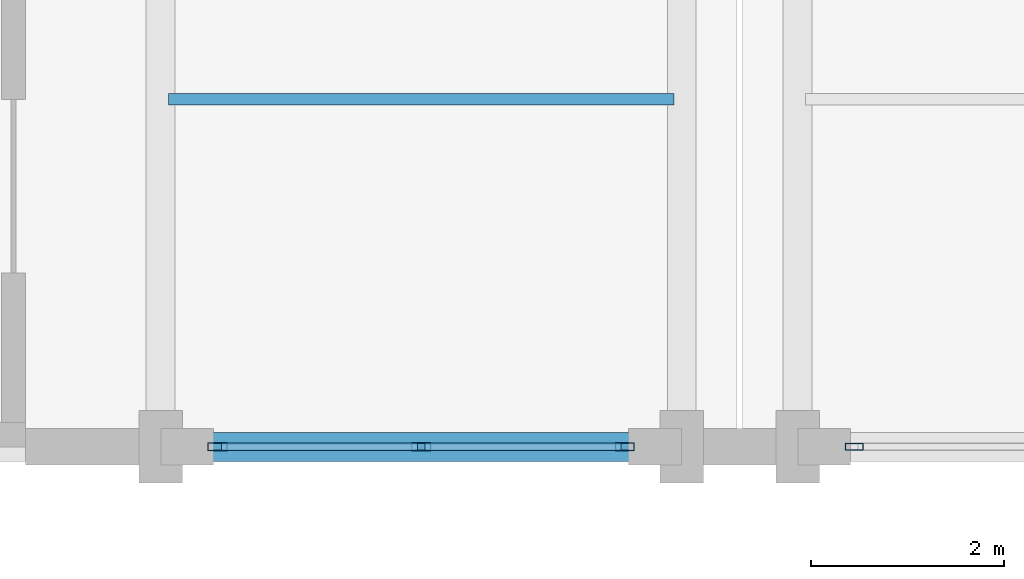
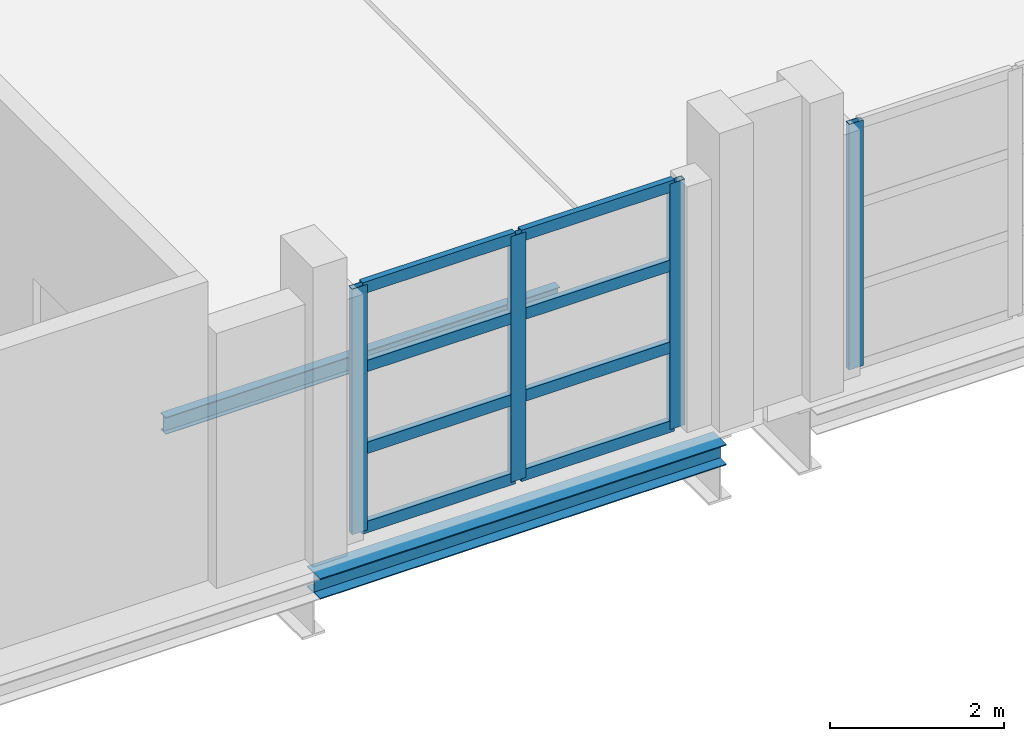
# One storey, part 93 of 147: 12 members, 2 beams, 2 elements without a shape of their own.
"""IFC4 building model written with IfcOpenShell, lengths in metres."""

from ifc_helpers import new_model, si_unit, direction, frame, origin, origin_2d, place, context, subcontext, project, spatial, hollow_rectangle, i_section, extrude, material, layer, layer_set, material_profile, profile_set, type_object, element, aggregate, save


model = new_model("IFC4")

# Units and contexts
model_context = context("Model", 3, precision=1e-05, world=origin(), true_north=direction((0.0, 1.0)))
body_context = subcontext(model_context, "Body", "Model", "MODEL_VIEW")
ifc_project = project(units=[si_unit("LENGTHUNIT", "METRE"), si_unit("AREAUNIT", "SQUARE_METRE"), si_unit("VOLUMEUNIT", "CUBIC_METRE"), si_unit("PLANEANGLEUNIT", "RADIAN"), si_unit("MASSUNIT", "GRAM", prefix="KILO")], contexts=[model_context])

# Site, building, storey
site_placement = place(None, origin())
site = spatial("IfcSite", under=ifc_project, at=site_placement, CompositionType="ELEMENT")
building_placement = place(site_placement, origin())
building = spatial("IfcBuilding", under=site, at=building_placement, Name="Zilviju Railside Exhibition Hall", CompositionType="ELEMENT")
storey_placement = place(building_placement, frame((0.0, 0.0, 8.39990234375)))
storey = spatial("IfcBuildingStorey", under=building, at=storey_placement, Name="L03", CompositionType="ELEMENT", Elevation=8.39990234375)

# Beams
ifc_material_1 = material(Name="Steel S355J2", Category="steel")
ifc_material_profile_1 = material_profile(ifc_material_1, i_section(OverallWidth=0.300048828125, OverallDepth=0.2900390625, WebThickness=0.008544921875, FlangeThickness=0.013916015625, at=origin_2d()), Name="HEA 300")
ifc_profile_set_1 = profile_set([ifc_material_profile_1], Name="Steel S355J2")
beam_type_1 = type_object("IfcBeamType", Name="BM-HEA300", PredefinedType="SPANDREL", material=ifc_profile_set_1)
beam_1_placement = place(storey_placement, frame((168.0, 84.0, -0.52490234375), z_axis=(1.0, 0.0, 0.0), x_axis=(0.0, 1.0, 0.0)))
element("IfcBeam", 1, at=beam_1_placement, inside=storey, type_object=beam_type_1, Name="Primary Girder L03 Y=84.0 (168.0..173.4)", PredefinedType="SPANDREL", context=body_context, shape_type="SweptSolid", body=[
    extrude(i_section(OverallWidth=0.300048828125, OverallDepth=0.2900390625, WebThickness=0.008544921875, FlangeThickness=0.013916015625, at=origin_2d()), origin(), (0.0, 0.0, 1.0), 5.39990234375),
])
ifc_material_profile_2 = material_profile(ifc_material_1, i_section(OverallWidth=0.1201171875, OverallDepth=0.239990234375, WebThickness=0.006103515625, FlangeThickness=0.009765625, at=origin_2d()), Name="IPE 240")
ifc_profile_set_2 = profile_set([ifc_material_profile_2], Name="Steel S355J2")
beam_type_2 = type_object("IfcBeamType", Name="BM-IPE240", PredefinedType="JOIST", material=ifc_profile_set_2)
beam_2_placement = place(storey_placement, frame((168.080078125, 87.60009765625, -0.5), z_axis=(1.0, 0.0, 0.0), x_axis=(0.0, 1.0, 0.0)))
element("IfcBeam", 2, at=beam_2_placement, inside=storey, type_object=beam_type_2, Name="Composite Floor Joist L03 Y=87.60 (168.0..173.4)", PredefinedType="JOIST", context=body_context, shape_type="SweptSolid", body=[
    extrude(i_section(OverallWidth=0.1201171875, OverallDepth=0.239990234375, WebThickness=0.006103515625, FlangeThickness=0.009765625, at=origin_2d()), origin(), (0.0, 0.0, 1.0), 5.239990234375),
])

# Curtain wall, member
ifc_material_2 = material(Name="Thermally broken aluminium-steel triple-glazed curtain wall", Category="steel")
ifc_layer_1 = layer(ifc_material_2, 0.179931640625)
ifc_layer_set_1 = layer_set([ifc_layer_1], Name="Thermally broken aluminium-steel triple-glazed curtain wall")
curtain_wall_type_1 = type_object("IfcCurtainWallType", Name="CW-BAY-03", PredefinedType="USERDEFINED", material=ifc_layer_set_1)
curtain_wall_1_placement = place(storey_placement, origin())
curtain_wall_1 = element("IfcCurtainWall", 3, at=curtain_wall_1_placement, inside=storey, type_object=curtain_wall_type_1, Name="North Hall Garden Court Curtain Wall L03 (175..180)", ObjectType="GLAZED CURTAIN WALL", PredefinedType="USERDEFINED")
ifc_material_3 = material(Name="Thermally broken anodized aluminium mullion", Category="aluminium")
ifc_material_profile_3 = material_profile(ifc_material_3, hollow_rectangle(XDim=0.074951171875, YDim=0.18994140625, WallThickness=0.0048828125, at=origin_2d()), Name="MULLION 190x75x5")
ifc_profile_set_3 = profile_set([ifc_material_profile_3], Name="Thermally broken anodized aluminium mullion")
member_type_1 = type_object("IfcMemberType", Name="CWM-75x190", PredefinedType="MULLION", material=ifc_profile_set_3)
member_1_placement = place(storey_placement, frame((175.1875, 84.0, 0.0), z_axis=(0.0, 0.0, 1.0), x_axis=(0.0, -1.0, 0.0)))
member_1 = element("IfcMember", 4, at=member_1_placement, type_object=member_type_1, Name="CW-03 mullion 3", PredefinedType="MULLION", context=body_context, shape_type="SweptSolid", body=[
    extrude(hollow_rectangle(XDim=0.074951171875, YDim=0.18994140625, WallThickness=0.0048828125, at=origin_2d()), origin(), (0.0, 0.0, 1.0), 3.4501953125),
])
aggregate(curtain_wall_1, [member_1])

# Curtain wall, members
ifc_layer_2 = layer(ifc_material_2, 0.179931640625)
ifc_layer_set_2 = layer_set([ifc_layer_2], Name="Thermally broken aluminium-steel triple-glazed curtain wall")
curtain_wall_type_2 = type_object("IfcCurtainWallType", Name="CW-BAY-02", PredefinedType="USERDEFINED", material=ifc_layer_set_2)
curtain_wall_2_placement = place(storey_placement, origin())
curtain_wall_2 = element("IfcCurtainWall", 5, at=curtain_wall_2_placement, inside=storey, type_object=curtain_wall_type_2, Name="North Hall Garden Court Curtain Wall L03 (168..173)", ObjectType="GLAZED CURTAIN WALL", PredefinedType="USERDEFINED")
ifc_material_profile_4 = material_profile(ifc_material_3, hollow_rectangle(XDim=0.080078125, YDim=0.199951171875, WallThickness=0.0048828125, at=origin_2d()), Name="MULLION 200x80x5")
ifc_profile_set_4 = profile_set([ifc_material_profile_4], Name="Thermally broken anodized aluminium mullion")
member_type_2 = type_object("IfcMemberType", Name="CWM-80x200", PredefinedType="MULLION", material=ifc_profile_set_4)
member_2_placement = place(storey_placement, frame((172.81005859375, 84.0, 0.0), z_axis=(0.0, 0.0, 1.0), x_axis=(0.0, -1.0, 0.0)))
member_2 = element("IfcMember", 6, at=member_2_placement, type_object=member_type_2, Name="CW-02 mullion 1", PredefinedType="MULLION", context=body_context, shape_type="SweptSolid", body=[
    extrude(hollow_rectangle(XDim=0.080078125, YDim=0.199951171875, WallThickness=0.0048828125, at=origin_2d()), origin(), (0.0, 0.0, 1.0), 3.4501953125),
])
member_3_placement = place(storey_placement, frame((170.699951171875, 84.0, 0.0), z_axis=(0.0, 0.0, 1.0), x_axis=(0.0, -1.0, 0.0)))
member_3 = element("IfcMember", 7, at=member_3_placement, type_object=member_type_2, Name="CW-02 mullion 2", PredefinedType="MULLION", context=body_context, shape_type="SweptSolid", body=[
    extrude(hollow_rectangle(XDim=0.080078125, YDim=0.199951171875, WallThickness=0.0048828125, at=origin_2d()), origin(), (0.0, 0.0, 1.0), 3.4501953125),
])
member_4_placement = place(storey_placement, frame((168.590087890625, 84.0, 0.0), z_axis=(0.0, 0.0, 1.0), x_axis=(0.0, -1.0, 0.0)))
member_4 = element("IfcMember", 8, at=member_4_placement, type_object=member_type_2, Name="CW-02 mullion 3", PredefinedType="MULLION", context=body_context, shape_type="SweptSolid", body=[
    extrude(hollow_rectangle(XDim=0.080078125, YDim=0.199951171875, WallThickness=0.0048828125, at=origin_2d()), origin(), (0.0, 0.0, 1.0), 3.4501953125),
])
ifc_material_4 = material(Name="Thermally broken anodized aluminium transom", Category="aluminium")
ifc_material_profile_5 = material_profile(ifc_material_4, hollow_rectangle(XDim=0.080078125, YDim=0.159912109375, WallThickness=0.0048828125, at=origin_2d()), Name="TRANSOM 160x80x5")
ifc_profile_set_5 = profile_set([ifc_material_profile_5], Name="Thermally broken anodized aluminium transom")
member_type_3 = type_object("IfcMemberType", Name="CWT-80x160", PredefinedType="USERDEFINED", material=ifc_profile_set_5)
member_5_placement = place(storey_placement, frame((172.77001953125, 84.0, 0.0400390625), z_axis=(-1.0, 0.0, 0.0), x_axis=(0.0, -1.0, 0.0)))
member_5 = element("IfcMember", 9, at=member_5_placement, type_object=member_type_3, Name="CW-02 transom 1.1", ObjectType="TRANSOM", PredefinedType="USERDEFINED", context=body_context, shape_type="SweptSolid", body=[
    extrude(hollow_rectangle(XDim=0.080078125, YDim=0.159912109375, WallThickness=0.0048828125, at=origin_2d()), origin(), (0.0, 0.0, 1.0), 2.030029296875),
])
member_6_placement = place(storey_placement, frame((172.77001953125, 84.0, 1.150146484375), z_axis=(-1.0, 0.0, 0.0), x_axis=(0.0, -1.0, 0.0)))
member_6 = element("IfcMember", 10, at=member_6_placement, type_object=member_type_3, Name="CW-02 transom 1.2", ObjectType="TRANSOM", PredefinedType="USERDEFINED", context=body_context, shape_type="SweptSolid", body=[
    extrude(hollow_rectangle(XDim=0.080078125, YDim=0.159912109375, WallThickness=0.0048828125, at=origin_2d()), origin(), (0.0, 0.0, 1.0), 2.030029296875),
])
member_7_placement = place(storey_placement, frame((172.77001953125, 84.0, 2.300048828125), z_axis=(-1.0, 0.0, 0.0), x_axis=(0.0, -1.0, 0.0)))
member_7 = element("IfcMember", 11, at=member_7_placement, type_object=member_type_3, Name="CW-02 transom 1.3", ObjectType="TRANSOM", PredefinedType="USERDEFINED", context=body_context, shape_type="SweptSolid", body=[
    extrude(hollow_rectangle(XDim=0.080078125, YDim=0.159912109375, WallThickness=0.0048828125, at=origin_2d()), origin(), (0.0, 0.0, 1.0), 2.030029296875),
])
member_8_placement = place(storey_placement, frame((172.77001953125, 84.0, 3.41015625), z_axis=(-1.0, 0.0, 0.0), x_axis=(0.0, -1.0, 0.0)))
member_8 = element("IfcMember", 12, at=member_8_placement, type_object=member_type_3, Name="CW-02 transom 1.4", ObjectType="TRANSOM", PredefinedType="USERDEFINED", context=body_context, shape_type="SweptSolid", body=[
    extrude(hollow_rectangle(XDim=0.080078125, YDim=0.159912109375, WallThickness=0.0048828125, at=origin_2d()), origin(), (0.0, 0.0, 1.0), 2.030029296875),
])
member_9_placement = place(storey_placement, frame((170.659912109375, 84.0, 0.0400390625), z_axis=(-1.0, 0.0, 0.0), x_axis=(0.0, -1.0, 0.0)))
member_9 = element("IfcMember", 13, at=member_9_placement, type_object=member_type_3, Name="CW-02 transom 2.1", ObjectType="TRANSOM", PredefinedType="USERDEFINED", context=body_context, shape_type="SweptSolid", body=[
    extrude(hollow_rectangle(XDim=0.080078125, YDim=0.159912109375, WallThickness=0.0048828125, at=origin_2d()), origin(), (0.0, 0.0, 1.0), 2.030029296875),
])
member_10_placement = place(storey_placement, frame((170.659912109375, 84.0, 1.150146484375), z_axis=(-1.0, 0.0, 0.0), x_axis=(0.0, -1.0, 0.0)))
member_10 = element("IfcMember", 14, at=member_10_placement, type_object=member_type_3, Name="CW-02 transom 2.2", ObjectType="TRANSOM", PredefinedType="USERDEFINED", context=body_context, shape_type="SweptSolid", body=[
    extrude(hollow_rectangle(XDim=0.080078125, YDim=0.159912109375, WallThickness=0.0048828125, at=origin_2d()), origin(), (0.0, 0.0, 1.0), 2.030029296875),
])
member_11_placement = place(storey_placement, frame((170.659912109375, 84.0, 2.300048828125), z_axis=(-1.0, 0.0, 0.0), x_axis=(0.0, -1.0, 0.0)))
member_11 = element("IfcMember", 15, at=member_11_placement, type_object=member_type_3, Name="CW-02 transom 2.3", ObjectType="TRANSOM", PredefinedType="USERDEFINED", context=body_context, shape_type="SweptSolid", body=[
    extrude(hollow_rectangle(XDim=0.080078125, YDim=0.159912109375, WallThickness=0.0048828125, at=origin_2d()), origin(), (0.0, 0.0, 1.0), 2.030029296875),
])
member_12_placement = place(storey_placement, frame((170.659912109375, 84.0, 3.41015625), z_axis=(-1.0, 0.0, 0.0), x_axis=(0.0, -1.0, 0.0)))
member_12 = element("IfcMember", 16, at=member_12_placement, type_object=member_type_3, Name="CW-02 transom 2.4", ObjectType="TRANSOM", PredefinedType="USERDEFINED", context=body_context, shape_type="SweptSolid", body=[
    extrude(hollow_rectangle(XDim=0.080078125, YDim=0.159912109375, WallThickness=0.0048828125, at=origin_2d()), origin(), (0.0, 0.0, 1.0), 2.030029296875),
])
aggregate(curtain_wall_2, [member_2, member_3, member_4, member_5, member_6, member_7, member_8, member_9, member_10, member_11, member_12])

save(model, "model.ifc")
